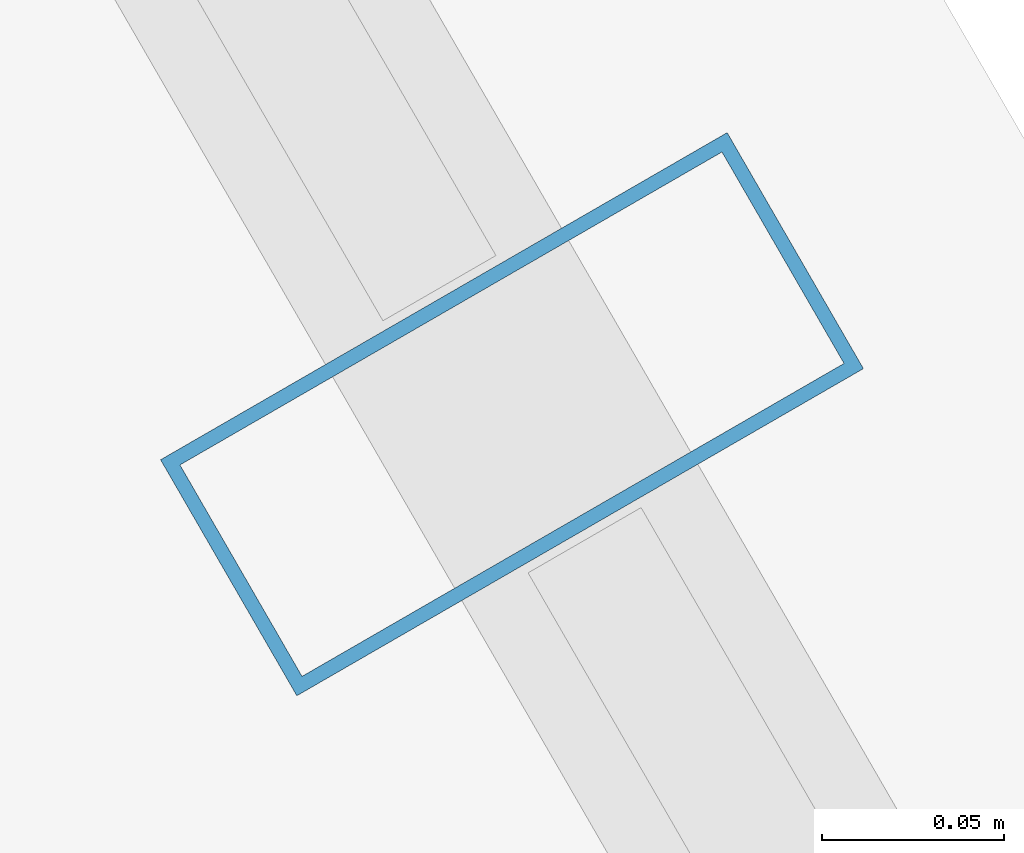
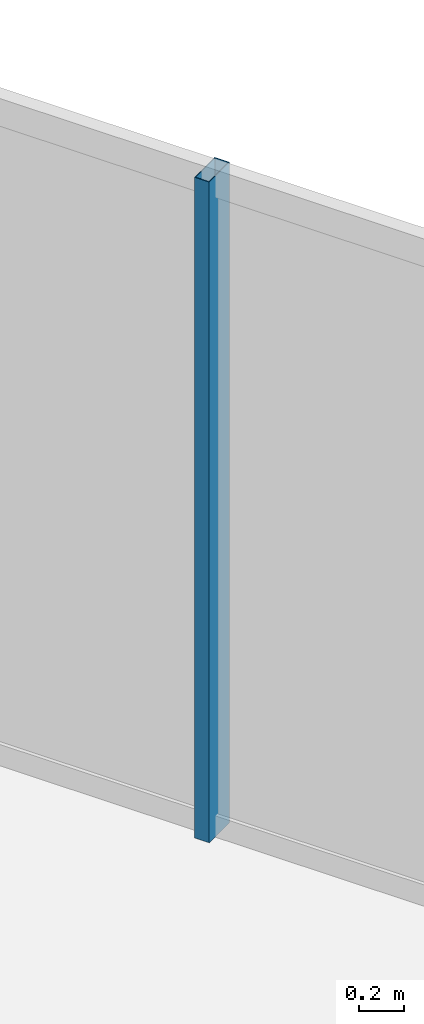
# One storey, part 19 of 35: 1 member, 1 element without a shape of its own.
"""IFC4 building model written with IfcOpenShell, lengths in metres."""

from ifc_helpers import new_model, si_unit, direction, frame, origin, origin_2d, place, context, subcontext, project, spatial, hollow_rectangle, extrude, material, layer, layer_set, material_profile, profile_set, type_object, element, aggregate, save


model = new_model("IFC4")

# Units and contexts
model_context = context("Model", 3, precision=1e-05, world=origin(), true_north=direction((0.0, 1.0)))
body_context = subcontext(model_context, "Body", "Model", "MODEL_VIEW")
ifc_project = project(units=[si_unit("LENGTHUNIT", "METRE"), si_unit("AREAUNIT", "SQUARE_METRE"), si_unit("VOLUMEUNIT", "CUBIC_METRE"), si_unit("PLANEANGLEUNIT", "RADIAN"), si_unit("MASSUNIT", "GRAM", prefix="KILO")], contexts=[model_context])

# Site, building, storey
site_placement = place(None, origin())
site = spatial("IfcSite", under=ifc_project, at=site_placement, CompositionType="ELEMENT")
building_placement = place(site_placement, origin())
building = spatial("IfcBuilding", under=site, at=building_placement, Name="Ndaravel Arena Tower", CompositionType="ELEMENT")
storey_placement = place(building_placement, frame((0.0, 0.0, 176.39990234375)))
storey = spatial("IfcBuildingStorey", under=building, at=storey_placement, Name="L42", CompositionType="ELEMENT", Elevation=176.39990234375)

# Curtain wall, member
ifc_material_1 = material(Name="Aluminium", Category="aluminium")
ifc_layer = layer(ifc_material_1, 0.179931640625)
ifc_layer_set = layer_set([ifc_layer], Name="Aluminium")
curtain_wall_type = type_object("IfcCurtainWallType", Name="CW-SYS-03", PredefinedType="NOTDEFINED", material=ifc_layer_set)
curtain_wall_placement = place(storey_placement, origin())
curtain_wall = element("IfcCurtainWall", 1, at=curtain_wall_placement, inside=storey, type_object=curtain_wall_type, Name="L42 Faceted Crystal Curtain Wall CW-L42-E03", PredefinedType="NOTDEFINED")
ifc_material_2 = material(Name="Aluminium", Category="aluminium")
ifc_material_profile = material_profile(ifc_material_2, hollow_rectangle(XDim=0.074951171875, YDim=0.179931640625, WallThickness=0.00390625, at=origin_2d()), Name="CW MULLION 75x180x4")
ifc_profile_set = profile_set([ifc_material_profile], Name="Aluminium")
member_type = type_object("IfcMemberType", Name="MEM-CW-MUL180", PredefinedType="MULLION", material=ifc_profile_set)
member_placement = place(storey_placement, frame((59.48779296875, 24.6513671875, 0.0), z_axis=(0.0, 0.0, 1.0), x_axis=(-0.5, 0.866025403784, 0.0)))
member = element("IfcMember", 2, at=member_placement, type_object=member_type, Name="CW-L42-E03 Mullion 03", PredefinedType="MULLION", context=body_context, shape_type="SweptSolid", body=[
    extrude(hollow_rectangle(XDim=0.074951171875, YDim=0.179931640625, WallThickness=0.00390625, at=origin_2d()), origin(), (0.0, 0.0, 1.0), 3.580078125),
])
aggregate(curtain_wall, [member])

save(model, "model.ifc")
